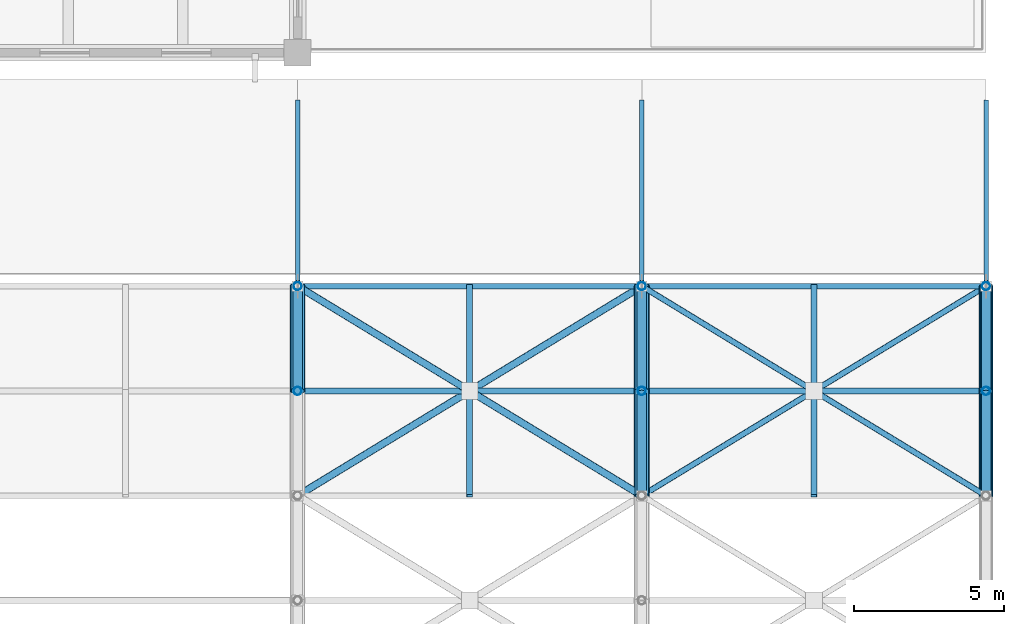
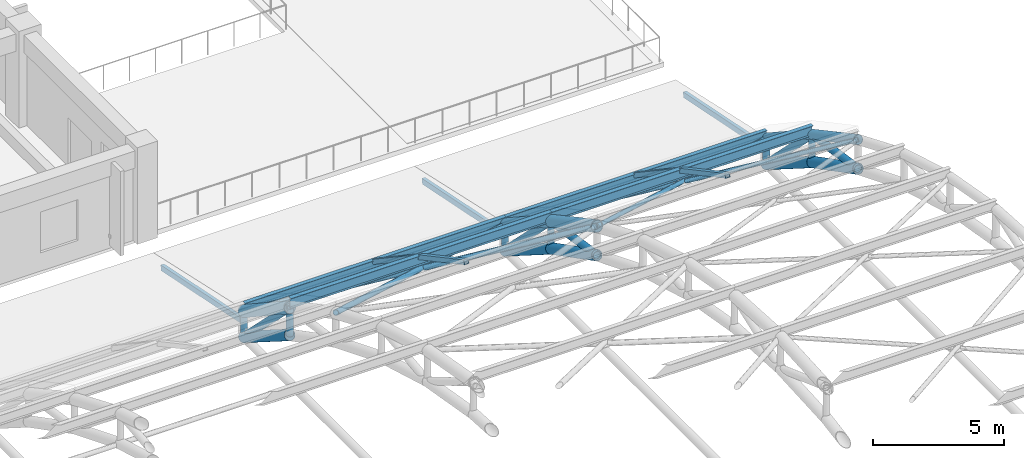
# One storey, part 117 of 154: 38 members.
"""IFC4 building model written with IfcOpenShell, lengths in metres."""

import ifcopenshell
import ifcopenshell.guid

model = None  # the IFC model being written
_history = None  # IfcOwnerHistory: only IFC2X3 demands one
_inside = {}  # id of a spatial element -> (the spatial element, [elements in it])
_under = {}  # id of a project, library or spatial element -> (it, [spatial elements below it])
_declared = {}  # id of a project -> (the project, [libraries it declares])
_typed = {}  # id of a type object -> (the type object, [elements of that type])
_made_of = {}  # id of a material, layer set ... -> (it, [elements and type objects made of it])


def new_model(schema):
    """Start an empty IFC model of exactly this schema.

    Asked for "IFC4X3", IfcOpenShell would pick the latest addendum, in which some entities
    have other attributes; the version numbers below select the first issue.
    IFC2X3 requires an IfcOwnerHistory on every rooted entity: one is made here for all.
    """
    global model, _history
    if schema == "IFC4X3":
        model = ifcopenshell.file(schema_version=(4, 3, 0, 0))
    else:
        model = ifcopenshell.file(schema=schema)
    _inside.clear()
    _under.clear()
    _declared.clear()
    _typed.clear()
    _made_of.clear()
    _history = None
    if model.schema == "IFC2X3":
        org = make("IfcOrganization", Name="unknown")
        user = make(
            "IfcPersonAndOrganization",
            ThePerson=make("IfcPerson", FamilyName="unknown"),
            TheOrganization=org,
        )
        app = make(
            "IfcApplication",
            ApplicationDeveloper=org,
            Version="unknown",
            ApplicationFullName="unknown",
            ApplicationIdentifier="unknown",
        )
        _history = make(
            "IfcOwnerHistory",
            OwningUser=user,
            OwningApplication=app,
            ChangeAction="ADDED",
            CreationDate=0,
        )
    return model


def make(cls, **values):
    """One entity of the class cls with the attributes given. An attribute that is None is left unset."""
    return model.create_entity(
        cls, **{name: value for name, value in values.items() if value is not None}
    )


def rooted(cls, **values):
    """An entity with a GlobalId (a new one), such as an element, a storey or a relation."""
    return make(cls, GlobalId=ifcopenshell.guid.new(), OwnerHistory=_history, **values)


def si_unit(unit_type, name, prefix=None):
    """IfcSIUnit, for example si_unit("LENGTHUNIT", "METRE", prefix="MILLI")."""
    return make("IfcSIUnit", UnitType=unit_type, Prefix=prefix, Name=name)


def assignment(units):
    """IfcUnitAssignment: the units of a project."""
    return None if units is None else make("IfcUnitAssignment", Units=units)


def point(xyz):
    """IfcCartesianPoint."""
    return None if xyz is None else make("IfcCartesianPoint", Coordinates=xyz)


def direction(xyz):
    """IfcDirection."""
    return None if xyz is None else make("IfcDirection", DirectionRatios=xyz)


def frame(location, z_axis=None, x_axis=None):
    """IfcAxis2Placement3D, a coordinate frame: its origin and axes. An axis left out is left unset."""
    return make(
        "IfcAxis2Placement3D",
        Location=point(location),
        Axis=direction(z_axis),
        RefDirection=direction(x_axis),
    )


def frame_2d(location, x_axis=None):
    """IfcAxis2Placement2D, a coordinate frame in the plane: its origin and x axis."""
    return make(
        "IfcAxis2Placement2D", Location=point(location), RefDirection=direction(x_axis)
    )


def origin():
    """The frame at (0, 0, 0) with its axes left unset."""
    return frame((0.0, 0.0, 0.0))


def origin_2d():
    """The frame at (0, 0) in the plane with its x axis left unset."""
    return frame_2d((0.0, 0.0))


def place(relative_to, where):
    """IfcLocalPlacement: puts the frame where relative to a parent placement (None: the world)."""
    return make(
        "IfcLocalPlacement", PlacementRelTo=relative_to, RelativePlacement=where
    )


def context(
    kind, dimensions, precision=None, world=None, true_north=None, identifier=None
):
    """IfcGeometricRepresentationContext, for example the 3D "Model" context."""
    return make(
        "IfcGeometricRepresentationContext",
        ContextIdentifier=identifier,
        ContextType=kind,
        CoordinateSpaceDimension=dimensions,
        Precision=precision,
        WorldCoordinateSystem=world,
        TrueNorth=true_north,
    )


def subcontext(parent, identifier, kind, view, scale=None):
    """IfcGeometricRepresentationSubContext, for example "Body" below "Model"."""
    return make(
        "IfcGeometricRepresentationSubContext",
        ContextIdentifier=identifier,
        ContextType=kind,
        ParentContext=parent,
        TargetScale=scale,
        TargetView=view,
    )


def project(units=None, contexts=None):
    """IfcProject with its units and contexts."""
    return rooted(
        "IfcProject",
        Name="project",
        RepresentationContexts=contexts,
        UnitsInContext=assignment(units),
    )


def spatial(cls, under=None, at=None, **own):
    """A site, building, storey or space (cls), placed at a placement, below another one or the project."""
    s = rooted(cls, ObjectPlacement=at, **own)
    if under is not None:
        _under.setdefault(under.id(), (under, []))[1].append(s)
    return s


def profile(cls, at=None, kind="AREA", **sizes):
    """A parametric profile (cls). Its sizes go by their IFC names, for example OverallWidth=200.0."""
    return make(cls, ProfileType=kind, Position=at, **sizes)


def hollow_rectangle(**sizes):
    """IfcRectangleHollowProfileDef."""
    return profile("IfcRectangleHollowProfileDef", **sizes)


def hollow_circle(**sizes):
    """IfcCircleHollowProfileDef."""
    return profile("IfcCircleHollowProfileDef", **sizes)


def i_section(**sizes):
    """IfcIShapeProfileDef."""
    return profile("IfcIShapeProfileDef", **sizes)


def extrude(swept, where, along, depth):
    """IfcExtrudedAreaSolid: the profile swept, set in the frame where, extruded along a direction by depth."""
    return make(
        "IfcExtrudedAreaSolid",
        SweptArea=swept,
        Position=where,
        ExtrudedDirection=direction(along),
        Depth=depth,
    )


def shape(context_of_items, identifier, shape_type, items):
    """IfcShapeRepresentation: the items that make up one representation, for example the "Body"."""
    return make(
        "IfcShapeRepresentation",
        ContextOfItems=context_of_items,
        RepresentationIdentifier=identifier,
        RepresentationType=shape_type,
        Items=items,
    )


def material(Name=None, Category=None):
    """IfcMaterial."""
    return make("IfcMaterial", Name=Name, Category=Category)


def material_profile(
    of_material, cross_section, Name=None, Category=None, Priority=None
):
    """IfcMaterialProfile: a cross section and its material."""
    return make(
        "IfcMaterialProfile",
        Name=Name,
        Material=of_material,
        Profile=cross_section,
        Priority=Priority,
        Category=Category,
    )


def profile_set(profiles, Name=None, composite=None):
    """IfcMaterialProfileSet."""
    return make(
        "IfcMaterialProfileSet",
        Name=Name,
        MaterialProfiles=profiles,
        CompositeProfile=composite,
    )


def made_of(thing, what):
    """Note that an element or type object is made of a material, layer set ...; save() writes the relation."""
    if what is not None:
        _made_of.setdefault(what.id(), (what, []))[1].append(thing)
    return thing


def type_object(cls, material=None, **own):
    """A type object (cls), such as IfcWallType, which elements share."""
    return made_of(rooted(cls, **own), material)


def element(
    cls,
    number,
    at=None,
    inside=None,
    cuts=None,
    type_object=None,
    material=None,
    context=None,
    identifier="Body",
    shape_type=None,
    held_by="IfcProductDefinitionShape",
    body=None,
    shapes=None,
    **own,
):
    """One element of the class cls, such as IfcWall. Its Tag is "e" and its number.

    at: its placement. inside: the storey or other place that contains it. cuts: it is an
    opening in that element (IfcRelVoidsElement). A single representation is given by context,
    identifier, shape_type and body (its items); several are given by shapes. held_by: the class
    of the entity that holds the representations. save() writes the other relations.
    """
    e = rooted(cls, Tag="e%d" % number, ObjectPlacement=at, **own)
    if body is not None:
        shapes = [shape(context, identifier, shape_type, body)]
    if shapes is not None:
        e.Representation = make(held_by, Representations=shapes)
    if inside is not None:
        _inside.setdefault(inside.id(), (inside, []))[1].append(e)
    if cuts is not None:
        rooted(
            "IfcRelVoidsElement", RelatingBuildingElement=cuts, RelatedOpeningElement=e
        )
    if type_object is not None:
        _typed.setdefault(type_object.id(), (type_object, []))[1].append(e)
    return made_of(e, material)


def aggregate(whole, parts):
    """IfcRelAggregates: a whole, such as a stair, and the parts it consists of."""
    return rooted("IfcRelAggregates", RelatingObject=whole, RelatedObjects=parts)


def save(model, path):
    """Write the relations noted so far, then the file.

    IfcRelAggregates (storeys below a building ...), IfcRelContainedInSpatialStructure (elements
    in a storey), IfcRelDefinesByType, IfcRelAssociatesMaterial and IfcRelDeclares: one each for
    every whole, place, type object, material and project.
    """
    for whole, parts in _under.values():
        aggregate(whole, parts)
    for where, things in _inside.values():
        rooted(
            "IfcRelContainedInSpatialStructure",
            RelatedElements=things,
            RelatingStructure=where,
        )
    for kind, things in _typed.values():
        rooted("IfcRelDefinesByType", RelatedObjects=things, RelatingType=kind)
    for what, things in _made_of.values():
        rooted("IfcRelAssociatesMaterial", RelatedObjects=things, RelatingMaterial=what)
    for by, libraries in _declared.values():
        rooted("IfcRelDeclares", RelatingContext=by, RelatedDefinitions=libraries)
    model.write(path)


model = new_model("IFC4")

# Units and contexts
model_context = context("Model", 3, precision=1e-05, world=origin(), true_north=direction((0.0, 1.0)))
body_context = subcontext(model_context, "Body", "Model", "MODEL_VIEW")
ifc_project = project(units=[si_unit("LENGTHUNIT", "METRE"), si_unit("AREAUNIT", "SQUARE_METRE"), si_unit("VOLUMEUNIT", "CUBIC_METRE"), si_unit("PLANEANGLEUNIT", "RADIAN"), si_unit("MASSUNIT", "GRAM", prefix="KILO")], contexts=[model_context])

# Site, building, storey
site_placement = place(None, origin())
site = spatial("IfcSite", under=ifc_project, at=site_placement, CompositionType="ELEMENT")
building_placement = place(site_placement, origin())
building = spatial("IfcBuilding", under=site, at=building_placement, Name="Ologun Quay Terminus", CompositionType="ELEMENT")
storey_placement = place(building_placement, frame((0.0, 0.0, 13.800048828125)))
storey = spatial("IfcBuildingStorey", under=building, at=storey_placement, Name="L03", CompositionType="ELEMENT", Elevation=13.800048828125)

# Members
ifc_material_1 = material(Name="Steel S355", Category="steel")
ifc_material_profile_1 = material_profile(ifc_material_1, hollow_circle(Radius=0.136474609375, WallThickness=0.010009765625, at=origin_2d()), Name="CHS 273x10")
ifc_profile_set_1 = profile_set([ifc_material_profile_1], Name="Steel S355")
member_type_1 = type_object("IfcMemberType", Name="Arch Truss Vertical Post CHS273", PredefinedType="STRUT", material=ifc_profile_set_1)
member_1_placement = place(storey_placement, frame((161.0, 74.5, 2.212158203125), z_axis=(0.0, 0.0, 1.0), x_axis=(1.0, 0.0, 0.0)))
element("IfcMember", 1, at=member_1_placement, inside=storey, type_object=member_type_1, Name="AW2 Arch Web Post 15-N11", PredefinedType="STRUT", context=body_context, shape_type="SweptSolid", body=[
    extrude(hollow_circle(Radius=0.136474609375, WallThickness=0.010009765625, at=origin_2d()), origin(), (0.0, 0.0, 1.0), 1.28564453125),
])
member_2_placement = place(storey_placement, frame((161.0, 78.0, 0.0), z_axis=(0.0, 0.0, 1.0), x_axis=(1.0, 0.0, 0.0)))
element("IfcMember", 2, at=member_2_placement, inside=storey, type_object=member_type_1, Name="AW2 Arch Web Post 15-N12", PredefinedType="STRUT", context=body_context, shape_type="SweptSolid", body=[
    extrude(hollow_circle(Radius=0.136474609375, WallThickness=0.010009765625, at=origin_2d()), origin(), (0.0, 0.0, 1.0), 1.199951171875),
])
member_3_placement = place(storey_placement, frame((172.5, 74.5, 2.212158203125), z_axis=(0.0, 0.0, 1.0), x_axis=(1.0, 0.0, 0.0)))
element("IfcMember", 3, at=member_3_placement, inside=storey, type_object=member_type_1, Name="AW2 Arch Web Post 16-N11", PredefinedType="STRUT", context=body_context, shape_type="SweptSolid", body=[
    extrude(hollow_circle(Radius=0.136474609375, WallThickness=0.010009765625, at=origin_2d()), origin(), (0.0, 0.0, 1.0), 1.28564453125),
])
member_4_placement = place(storey_placement, frame((172.5, 78.0, 0.0), z_axis=(0.0, 0.0, 1.0), x_axis=(1.0, 0.0, 0.0)))
element("IfcMember", 4, at=member_4_placement, inside=storey, type_object=member_type_1, Name="AW2 Arch Web Post 16-N12", PredefinedType="STRUT", context=body_context, shape_type="SweptSolid", body=[
    extrude(hollow_circle(Radius=0.136474609375, WallThickness=0.010009765625, at=origin_2d()), origin(), (0.0, 0.0, 1.0), 1.199951171875),
])
member_5_placement = place(storey_placement, frame((184.0, 74.5, 2.212158203125), z_axis=(0.0, 0.0, 1.0), x_axis=(1.0, 0.0, 0.0)))
element("IfcMember", 5, at=member_5_placement, inside=storey, type_object=member_type_1, Name="AW2 Arch Web Post 17-N11", PredefinedType="STRUT", context=body_context, shape_type="SweptSolid", body=[
    extrude(hollow_circle(Radius=0.136474609375, WallThickness=0.010009765625, at=origin_2d()), origin(), (0.0, 0.0, 1.0), 1.28564453125),
])
member_6_placement = place(storey_placement, frame((184.0, 78.0, 0.0), z_axis=(0.0, 0.0, 1.0), x_axis=(1.0, 0.0, 0.0)))
element("IfcMember", 6, at=member_6_placement, inside=storey, type_object=member_type_1, Name="AW2 Arch Web Post 17-N12", PredefinedType="STRUT", context=body_context, shape_type="SweptSolid", body=[
    extrude(hollow_circle(Radius=0.136474609375, WallThickness=0.010009765625, at=origin_2d()), origin(), (0.0, 0.0, 1.0), 1.199951171875),
])
ifc_material_2 = material(Name="Steel S355", Category="steel")
ifc_material_profile_2 = material_profile(ifc_material_2, hollow_circle(Radius=0.161865234375, WallThickness=0.010009765625, at=origin_2d()), Name="CHS 323.9x10")
ifc_profile_set_2 = profile_set([ifc_material_profile_2], Name="Steel S355")
member_type_2 = type_object("IfcMemberType", Name="Arch Truss Web Diagonal CHS323", PredefinedType="BRACE", material=ifc_profile_set_2)
member_7_placement = place(storey_placement, frame((161.0, 74.5, 3.497802734375), z_axis=(0.0, 0.707328773357, -0.706884719301), x_axis=(-1.0, 0.0, 0.0)))
element("IfcMember", 7, at=member_7_placement, inside=storey, type_object=member_type_2, Name="AW1 Arch Web Diagonal 15-P12", PredefinedType="BRACE", context=body_context, shape_type="SweptSolid", body=[
    extrude(hollow_circle(Radius=0.161865234375, WallThickness=0.010009765625, at=origin_2d()), origin(), (0.0, 0.0, 1.0), 4.9482421875),
])
member_8_placement = place(storey_placement, frame((172.5, 71.0, 4.022216796875), z_axis=(0.0, 0.988960627525, -0.148178531524), x_axis=(-1.0, 0.0, 0.0)))
element("IfcMember", 8, at=member_8_placement, inside=storey, type_object=member_type_2, Name="AW1 Arch Web Diagonal 16-P11", PredefinedType="BRACE", context=body_context, shape_type="SweptSolid", body=[
    extrude(hollow_circle(Radius=0.161865234375, WallThickness=0.010009765625, at=origin_2d()), origin(), (0.0, 0.0, 1.0), 3.5390625),
])
member_9_placement = place(storey_placement, frame((172.5, 74.5, 3.497802734375), z_axis=(0.0, 0.707328773357, -0.706884719301), x_axis=(-1.0, 0.0, 0.0)))
element("IfcMember", 9, at=member_9_placement, inside=storey, type_object=member_type_2, Name="AW1 Arch Web Diagonal 16-P12", PredefinedType="BRACE", context=body_context, shape_type="SweptSolid", body=[
    extrude(hollow_circle(Radius=0.161865234375, WallThickness=0.010009765625, at=origin_2d()), origin(), (0.0, 0.0, 1.0), 4.9482421875),
])
member_10_placement = place(storey_placement, frame((184.0, 71.0, 4.022216796875), z_axis=(0.0, 0.988960627525, -0.148178531524), x_axis=(-1.0, 0.0, 0.0)))
element("IfcMember", 10, at=member_10_placement, inside=storey, type_object=member_type_2, Name="AW1 Arch Web Diagonal 17-P11", PredefinedType="BRACE", context=body_context, shape_type="SweptSolid", body=[
    extrude(hollow_circle(Radius=0.161865234375, WallThickness=0.010009765625, at=origin_2d()), origin(), (0.0, 0.0, 1.0), 3.5390625),
])
member_11_placement = place(storey_placement, frame((184.0, 74.5, 3.497802734375), z_axis=(0.0, 0.707328773357, -0.706884719301), x_axis=(-1.0, 0.0, 0.0)))
element("IfcMember", 11, at=member_11_placement, inside=storey, type_object=member_type_2, Name="AW1 Arch Web Diagonal 17-P12", PredefinedType="BRACE", context=body_context, shape_type="SweptSolid", body=[
    extrude(hollow_circle(Radius=0.161865234375, WallThickness=0.010009765625, at=origin_2d()), origin(), (0.0, 0.0, 1.0), 4.9482421875),
])
ifc_material_3 = material(Name="Steel S355", Category="steel")
ifc_material_profile_3 = material_profile(ifc_material_3, hollow_circle(Radius=0.203125, WallThickness=0.012451171875, at=origin_2d()), Name="CHS 406.4x12.5")
ifc_profile_set_3 = profile_set([ifc_material_profile_3], Name="Steel S355")
member_type_3 = type_object("IfcMemberType", Name="Gable End Arch Chord CHS406", PredefinedType="CHORD", material=ifc_profile_set_3)
member_12_placement = place(storey_placement, frame((184.0, 71.0, 5.377685546875), z_axis=(0.0, 0.880967864924, -0.473176099324), x_axis=(-1.0, 0.0, 0.0)))
element("IfcMember", 12, at=member_12_placement, inside=storey, type_object=member_type_3, Name="Arch Top Chord 17-P11", PredefinedType="CHORD", context=body_context, shape_type="SweptSolid", body=[
    extrude(hollow_circle(Radius=0.203125, WallThickness=0.012451171875, at=origin_2d()), origin(), (0.0, 0.0, 1.0), 3.972900390625),
])
member_13_placement = place(storey_placement, frame((184.0, 74.5, 3.497802734375), z_axis=(0.0, 0.835940905918, -0.548819461949), x_axis=(-1.0, 0.0, 0.0)))
element("IfcMember", 13, at=member_13_placement, inside=storey, type_object=member_type_3, Name="Arch Top Chord 17-P12", PredefinedType="CHORD", context=body_context, shape_type="SweptSolid", body=[
    extrude(hollow_circle(Radius=0.203125, WallThickness=0.012451171875, at=origin_2d()), origin(), (0.0, 0.0, 1.0), 4.18701171875),
])
ifc_material_4 = material(Name="Steel S355", Category="steel")
ifc_material_profile_4 = material_profile(ifc_material_4, hollow_circle(Radius=0.096923828125, WallThickness=0.00634765625, at=origin_2d()), Name="CHS 193.7x6.3")
ifc_profile_set_4 = profile_set([ifc_material_profile_4], Name="Steel S355")
member_type_4 = type_object("IfcMemberType", Name="Gable Portal Wind Brace CHS193", PredefinedType="BRACE", material=ifc_profile_set_4)
member_14_placement = place(storey_placement, frame((172.5, 71.0, 5.377685546875), z_axis=(0.815821451603, 0.496586970541, -0.296372636715), x_axis=(-0.519946946896, 0.854198555614, 0.0)))
element("IfcMember", 14, at=member_14_placement, inside=storey, type_object=member_type_4, Name="Roof Wind Brace A B16-K10", PredefinedType="BRACE", context=body_context, shape_type="SweptSolid", body=[
    extrude(hollow_circle(Radius=0.096923828125, WallThickness=0.00634765625, at=origin_2d()), origin(), (0.0, 0.0, 1.0), 14.09619140625),
])
for number, where, z_axis, x_axis, name in (
    (15, (172.5, 78.0, 1.199951171875), (0.815823185614, -0.496583416265, 0.29637381886), (0.51994342513, 0.854200699288, 0.0), "Roof Wind Brace B1 B16-K10"),
    (16, (178.3642578125, 74.430419921875, 3.330322265625), (0.815823185614, -0.496583416265, 0.29637381886), (0.51994342513, 0.854200699288, 0.0), "Roof Wind Brace B2 B16-K10"),
):
    element("IfcMember", number, at=place(storey_placement, frame(where, z_axis=z_axis, x_axis=x_axis)), inside=storey, type_object=member_type_4, Name=name, PredefinedType="BRACE", context=body_context, shape_type="SweptSolid", body=[
        extrude(hollow_circle(Radius=0.096923828125, WallThickness=0.00634765625, at=origin_2d()), origin(), (0.0, 0.0, 1.0), 6.907958984375),
    ])
ifc_material_5 = material(Name="Steel S355", Category="steel")
ifc_material_profile_5 = material_profile(ifc_material_5, hollow_circle(Radius=0.228515625, WallThickness=0.01611328125, at=origin_2d()), Name="CHS 457x16")
ifc_profile_set_5 = profile_set([ifc_material_profile_5], Name="Steel S355")
member_type_5 = type_object("IfcMemberType", Name="Parabolic Arch Bottom Chord CHS457", PredefinedType="CHORD", material=ifc_profile_set_5)
member_15_placement = place(storey_placement, frame((161.0, 74.5, 2.212158203125), z_axis=(0.0, 0.845310912611, -0.534274705578), x_axis=(-1.0, 0.0, 0.0)))
element("IfcMember", 17, at=member_15_placement, inside=storey, type_object=member_type_5, Name="AC2 Arch Bottom Chord 15-P12", PredefinedType="CHORD", context=body_context, shape_type="SweptSolid", body=[
    extrude(hollow_circle(Radius=0.228515625, WallThickness=0.01611328125, at=origin_2d()), origin(), (0.0, 0.0, 1.0), 4.140380859375),
])
member_16_placement = place(storey_placement, frame((172.5, 71.0, 4.022216796875), z_axis=(0.0, 0.888247284083, -0.459365608551), x_axis=(-1.0, 0.0, 0.0)))
element("IfcMember", 18, at=member_16_placement, inside=storey, type_object=member_type_5, Name="AC2 Arch Bottom Chord 16-P11", PredefinedType="CHORD", context=body_context, shape_type="SweptSolid", body=[
    extrude(hollow_circle(Radius=0.228515625, WallThickness=0.01611328125, at=origin_2d()), origin(), (0.0, 0.0, 1.0), 3.9404296875),
])
member_17_placement = place(storey_placement, frame((172.5, 74.5, 2.212158203125), z_axis=(0.0, 0.845310912611, -0.534274705578), x_axis=(-1.0, 0.0, 0.0)))
element("IfcMember", 19, at=member_17_placement, inside=storey, type_object=member_type_5, Name="AC2 Arch Bottom Chord 16-P12", PredefinedType="CHORD", context=body_context, shape_type="SweptSolid", body=[
    extrude(hollow_circle(Radius=0.228515625, WallThickness=0.01611328125, at=origin_2d()), origin(), (0.0, 0.0, 1.0), 4.140380859375),
])
member_18_placement = place(storey_placement, frame((184.0, 71.0, 4.022216796875), z_axis=(0.0, 0.888247284083, -0.459365608551), x_axis=(-1.0, 0.0, 0.0)))
element("IfcMember", 20, at=member_18_placement, inside=storey, type_object=member_type_5, Name="AC2 Arch Bottom Chord 17-P11", PredefinedType="CHORD", context=body_context, shape_type="SweptSolid", body=[
    extrude(hollow_circle(Radius=0.228515625, WallThickness=0.01611328125, at=origin_2d()), origin(), (0.0, 0.0, 1.0), 3.9404296875),
])
member_19_placement = place(storey_placement, frame((184.0, 74.5, 2.212158203125), z_axis=(0.0, 0.845310912611, -0.534274705578), x_axis=(-1.0, 0.0, 0.0)))
element("IfcMember", 21, at=member_19_placement, inside=storey, type_object=member_type_5, Name="AC2 Arch Bottom Chord 17-P12", PredefinedType="CHORD", context=body_context, shape_type="SweptSolid", body=[
    extrude(hollow_circle(Radius=0.228515625, WallThickness=0.01611328125, at=origin_2d()), origin(), (0.0, 0.0, 1.0), 4.140380859375),
])
ifc_material_6 = material(Name="Steel S355", Category="steel")
ifc_material_profile_6 = material_profile(ifc_material_6, hollow_circle(Radius=0.25390625, WallThickness=0.01611328125, at=origin_2d()), Name="CHS 508x16")
ifc_profile_set_6 = profile_set([ifc_material_profile_6], Name="Steel S355")
member_type_6 = type_object("IfcMemberType", Name="Parabolic Arch Top Chord CHS508", PredefinedType="CHORD", material=ifc_profile_set_6)
member_20_placement = place(storey_placement, frame((161.0, 74.5, 3.497802734375), z_axis=(0.0, 0.835940905918, -0.548819461949), x_axis=(-1.0, 0.0, 0.0)))
element("IfcMember", 22, at=member_20_placement, inside=storey, type_object=member_type_6, Name="Arch Top Chord 15-P12", PredefinedType="CHORD", context=body_context, shape_type="SweptSolid", body=[
    extrude(hollow_circle(Radius=0.25390625, WallThickness=0.01611328125, at=origin_2d()), origin(), (0.0, 0.0, 1.0), 4.18701171875),
])
member_21_placement = place(storey_placement, frame((172.5, 71.0, 5.377685546875), z_axis=(0.0, 0.880967864924, -0.473176099324), x_axis=(-1.0, 0.0, 0.0)))
element("IfcMember", 23, at=member_21_placement, inside=storey, type_object=member_type_6, Name="Arch Top Chord 16-P11", PredefinedType="CHORD", context=body_context, shape_type="SweptSolid", body=[
    extrude(hollow_circle(Radius=0.25390625, WallThickness=0.01611328125, at=origin_2d()), origin(), (0.0, 0.0, 1.0), 3.972900390625),
])
member_22_placement = place(storey_placement, frame((172.5, 74.5, 3.497802734375), z_axis=(0.0, 0.835940905918, -0.548819461949), x_axis=(-1.0, 0.0, 0.0)))
element("IfcMember", 24, at=member_22_placement, inside=storey, type_object=member_type_6, Name="Arch Top Chord 16-P12", PredefinedType="CHORD", context=body_context, shape_type="SweptSolid", body=[
    extrude(hollow_circle(Radius=0.25390625, WallThickness=0.01611328125, at=origin_2d()), origin(), (0.0, 0.0, 1.0), 4.18701171875),
])
ifc_material_7 = material(Name="Steel S355", Category="steel")
ifc_material_profile_7 = material_profile(ifc_material_7, hollow_circle(Radius=0.122314453125, WallThickness=0.008056640625, at=origin_2d()), Name="CHS 244.5x8")
ifc_profile_set_7 = profile_set([ifc_material_profile_7], Name="Steel S355")
member_type_7 = type_object("IfcMemberType", Name="Roof Plan Wind Brace Primary CHS244", PredefinedType="BRACE", material=ifc_profile_set_7)
member_23_placement = place(storey_placement, frame((161.0, 71.0, 5.377685546875), z_axis=(0.815821451603, 0.496586970541, -0.296372636715), x_axis=(-0.519946946896, 0.854198555614, 0.0)))
element("IfcMember", 25, at=member_23_placement, inside=storey, type_object=member_type_7, Name="Roof Wind Brace A B15-K10", PredefinedType="BRACE", context=body_context, shape_type="SweptSolid", body=[
    extrude(hollow_circle(Radius=0.122314453125, WallThickness=0.008056640625, at=origin_2d()), origin(), (0.0, 0.0, 1.0), 14.09619140625),
])
for number, where, z_axis, x_axis, name in (
    (26, (161.0, 78.0, 1.199951171875), (0.815823185614, -0.496583416265, 0.29637381886), (0.51994342513, 0.854200699288, 0.0), "Roof Wind Brace B1 B15-K10"),
    (27, (166.8642578125, 74.430419921875, 3.330322265625), (0.815823185614, -0.496583416265, 0.29637381886), (0.51994342513, 0.854200699288, 0.0), "Roof Wind Brace B2 B15-K10"),
):
    element("IfcMember", number, at=place(storey_placement, frame(where, z_axis=z_axis, x_axis=x_axis)), inside=storey, type_object=member_type_7, Name=name, PredefinedType="BRACE", context=body_context, shape_type="SweptSolid", body=[
        extrude(hollow_circle(Radius=0.122314453125, WallThickness=0.008056640625, at=origin_2d()), origin(), (0.0, 0.0, 1.0), 6.907958984375),
    ])
ifc_material_8 = material(Name="Steel S355", Category="steel")
ifc_material_profile_8 = material_profile(ifc_material_8, hollow_rectangle(XDim=0.199951171875, YDim=0.199951171875, WallThickness=0.008056640625, at=origin_2d()), Name="SHS 200x200x8")
ifc_profile_set_8 = profile_set([ifc_material_profile_8], Name="Steel S355")
member_type_8 = type_object("IfcMemberType", Name="Skylight Cross Transom Bar RHS150", PredefinedType="STRUT", material=ifc_profile_set_8)
member_24_placement = place(storey_placement, frame((166.75, 71.0, 5.731689453125), z_axis=(0.0, 0.880967864924, -0.473176099324), x_axis=(-1.0, 0.0, 0.0)))
element("IfcMember", 28, at=member_24_placement, inside=storey, type_object=member_type_8, Name="SK2 Eave Secondary Rafter B15-P11", PredefinedType="STRUT", context=body_context, shape_type="SweptSolid", body=[
    extrude(hollow_rectangle(XDim=0.199951171875, YDim=0.199951171875, WallThickness=0.008056640625, at=origin_2d()), origin(), (0.0, 0.0, 1.0), 3.972900390625),
])
member_25_placement = place(storey_placement, frame((166.75, 74.5, 3.851806640625), z_axis=(0.0, 0.830398014247, -0.55717065423), x_axis=(-1.0, 0.0, 0.0)))
element("IfcMember", 29, at=member_25_placement, inside=storey, type_object=member_type_8, Name="SK2 Eave Secondary Rafter B15-P12", PredefinedType="STRUT", context=body_context, shape_type="SweptSolid", body=[
    extrude(hollow_rectangle(XDim=0.199951171875, YDim=0.199951171875, WallThickness=0.008056640625, at=origin_2d()), origin(), (0.0, 0.0, 1.0), 4.21484375),
])
member_26_placement = place(storey_placement, frame((178.25, 71.0, 5.731689453125), z_axis=(0.0, 0.880967864924, -0.473176099324), x_axis=(-1.0, 0.0, 0.0)))
element("IfcMember", 30, at=member_26_placement, inside=storey, type_object=member_type_8, Name="SK2 Eave Secondary Rafter B16-P11", PredefinedType="STRUT", context=body_context, shape_type="SweptSolid", body=[
    extrude(hollow_rectangle(XDim=0.199951171875, YDim=0.199951171875, WallThickness=0.008056640625, at=origin_2d()), origin(), (0.0, 0.0, 1.0), 3.972900390625),
])
member_27_placement = place(storey_placement, frame((178.25, 74.5, 3.851806640625), z_axis=(0.0, 0.830398014247, -0.55717065423), x_axis=(-1.0, 0.0, 0.0)))
element("IfcMember", 31, at=member_27_placement, inside=storey, type_object=member_type_8, Name="SK2 Eave Secondary Rafter B16-P12", PredefinedType="STRUT", context=body_context, shape_type="SweptSolid", body=[
    extrude(hollow_rectangle(XDim=0.199951171875, YDim=0.199951171875, WallThickness=0.008056640625, at=origin_2d()), origin(), (0.0, 0.0, 1.0), 4.21484375),
])
ifc_material_9 = material(Name="Steel S355", Category="steel")
ifc_material_profile_9 = material_profile(ifc_material_9, hollow_rectangle(XDim=0.14990234375, YDim=0.25, WallThickness=0.008056640625, at=origin_2d()), Name="RHS 250x150x8")
ifc_profile_set_9 = profile_set([ifc_material_profile_9], Name="Steel S355")
member_type_9 = type_object("IfcMemberType", Name="Skylight Longitudinal Glazing Bar RHS200", PredefinedType="PURLIN", material=ifc_profile_set_9)
for number, where, z_axis, x_axis, name in (
    (32, (161.0, 84.199951171875, -0.520263671875), (0.0, -0.98005285553, 0.19873701308), (1.0, 0.0, 0.0), "SK1 Inclined Roof Rafter L03-NGAL-15"),
    (33, (172.5, 84.199951171875, -0.520263671875), (0.0, -0.98005285553, 0.19873701308), (1.0, 0.0, 0.0), "SK1 Inclined Roof Rafter L03-NGAL-16"),
    (34, (184.0, 84.199951171875, -0.520263671875), (0.0, -0.98005285553, 0.19873701308), (1.0, 0.0, 0.0), "SK1 Inclined Roof Rafter L03-NGAL-17"),
):
    element("IfcMember", number, at=place(storey_placement, frame(where, z_axis=z_axis, x_axis=x_axis)), inside=storey, type_object=member_type_9, Name=name, PredefinedType="PURLIN", context=body_context, shape_type="SweptSolid", body=[
        extrude(hollow_rectangle(XDim=0.14990234375, YDim=0.25, WallThickness=0.008056640625, at=origin_2d()), origin(), (0.0, 0.0, 1.0), 6.16064453125),
    ])
ifc_material_10 = material(Name="Steel S355", Category="steel")
ifc_material_profile_10 = material_profile(ifc_material_10, i_section(OverallWidth=0.177978515625, OverallDepth=0.406494140625, WebThickness=0.0078125, FlangeThickness=0.0126953125, at=origin_2d()), Name="UKB 406x178x60")
ifc_profile_set_10 = profile_set([ifc_material_profile_10], Name="Steel S355")
member_type_10 = type_object("IfcMemberType", Name="Train Shed Eave & Ridge Purlin UKB406", PredefinedType="PURLIN", material=ifc_profile_set_10)
for number, where, z_axis, x_axis, name in (
    (35, (161.0, 78.0, 1.403076171875), (1.0, 0.0, 0.0), (0.0, 1.0, 0.0), "PR2 Roof Purlin B15-N12"),
    (36, (172.5, 78.0, 1.403076171875), (1.0, 0.0, 0.0), (0.0, 1.0, 0.0), "PR2 Roof Purlin B16-N12"),
):
    element("IfcMember", number, at=place(storey_placement, frame(where, z_axis=z_axis, x_axis=x_axis)), inside=storey, type_object=member_type_10, Name=name, PredefinedType="PURLIN", context=body_context, shape_type="SweptSolid", body=[
        extrude(i_section(OverallWidth=0.177978515625, OverallDepth=0.406494140625, WebThickness=0.0078125, FlangeThickness=0.0126953125, at=origin_2d()), origin(), (0.0, 0.0, 1.0), 11.5),
    ])
ifc_material_11 = material(Name="Steel S355", Category="steel")
ifc_material_profile_11 = material_profile(ifc_material_11, i_section(OverallWidth=0.1904296875, OverallDepth=0.45703125, WebThickness=0.009033203125, FlangeThickness=0.014404296875, at=origin_2d()), Name="UKB 457x191x74")
ifc_profile_set_11 = profile_set([ifc_material_profile_11], Name="Steel S355")
member_type_11 = type_object("IfcMemberType", Name="Train Shed Primary Roof Purlin UKB457", PredefinedType="PURLIN", material=ifc_profile_set_11)
for number, where, z_axis, x_axis, name in (
    (37, (161.0, 74.5, 3.726318359375), (1.0, 0.0, 0.0), (0.0, 1.0, 0.0), "PR1 Roof Purlin B15-N11"),
    (38, (172.5, 74.5, 3.726318359375), (1.0, 0.0, 0.0), (0.0, 1.0, 0.0), "PR1 Roof Purlin B16-N11"),
):
    element("IfcMember", number, at=place(storey_placement, frame(where, z_axis=z_axis, x_axis=x_axis)), inside=storey, type_object=member_type_11, Name=name, PredefinedType="PURLIN", context=body_context, shape_type="SweptSolid", body=[
        extrude(i_section(OverallWidth=0.1904296875, OverallDepth=0.45703125, WebThickness=0.009033203125, FlangeThickness=0.014404296875, at=origin_2d()), origin(), (0.0, 0.0, 1.0), 11.5),
    ])

save(model, "model.ifc")
